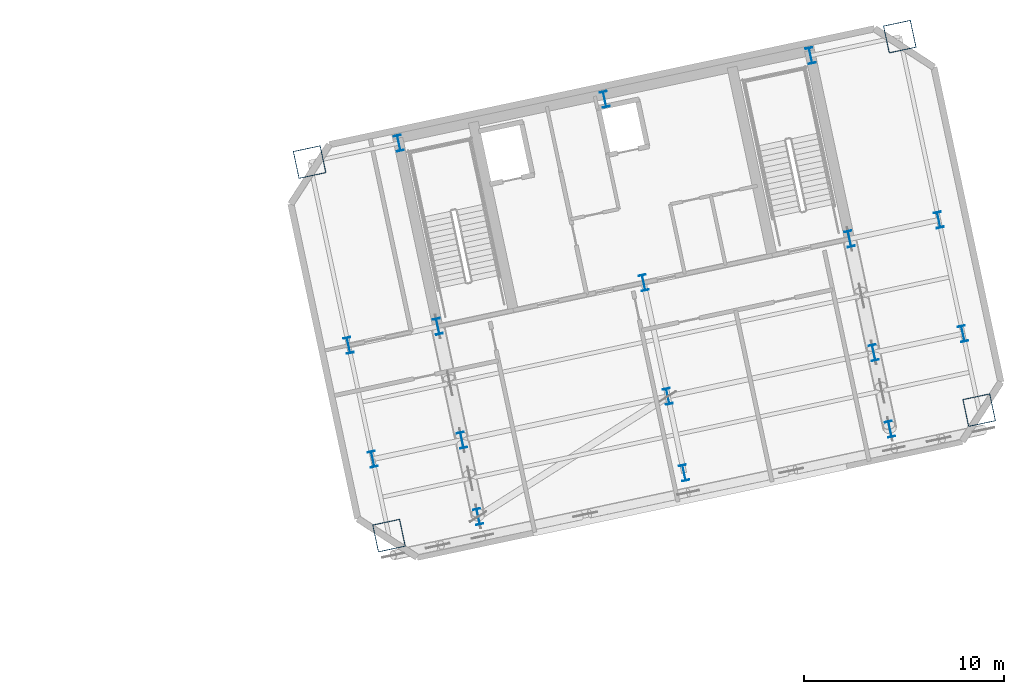
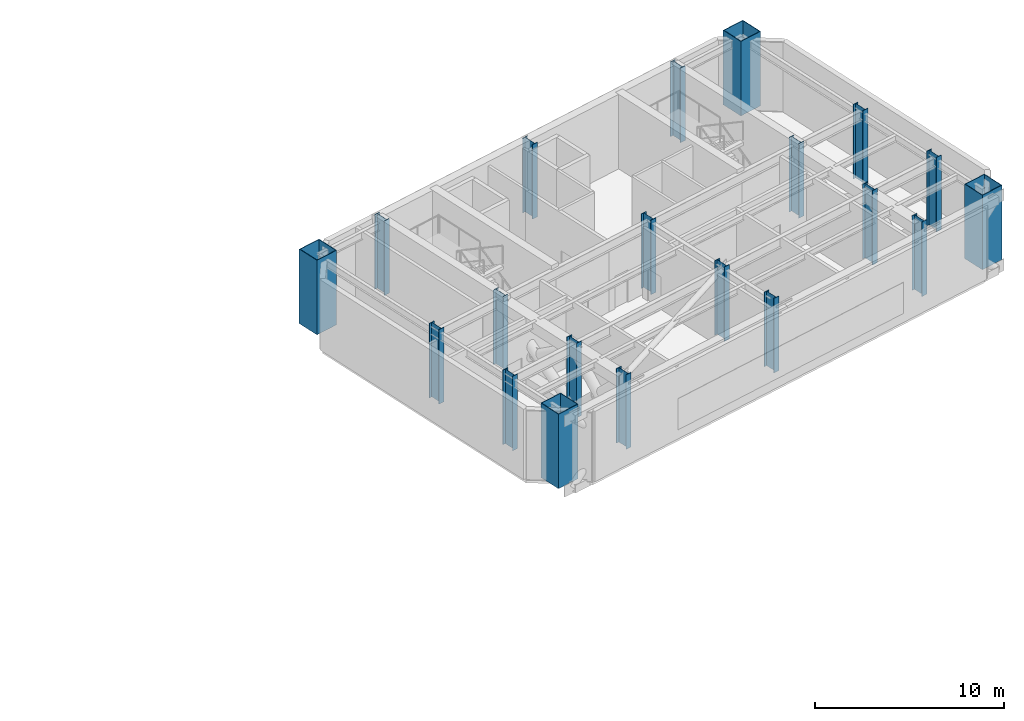
# One storey, part 2 of 15: 20 columns.
"""IFC4 building model written with IfcOpenShell, lengths in metres."""

from ifc_helpers import new_model, si_unit, direction, frame, origin, origin_2d, place, context, subcontext, project, spatial, hollow_rectangle, i_section, extrude, material, material_profile, profile_set, type_object, element, save


model = new_model("IFC4")

# Units and contexts
model_context = context("Model", 3, precision=1e-05, world=origin(), true_north=direction((0.0, 1.0)))
body_context = subcontext(model_context, "Body", "Model", "MODEL_VIEW")
ifc_project = project(units=[si_unit("LENGTHUNIT", "METRE"), si_unit("AREAUNIT", "SQUARE_METRE"), si_unit("VOLUMEUNIT", "CUBIC_METRE"), si_unit("PLANEANGLEUNIT", "RADIAN"), si_unit("MASSUNIT", "GRAM", prefix="KILO")], contexts=[model_context])

# Site, building, storey
site_placement = place(None, origin())
site = spatial("IfcSite", under=ifc_project, at=site_placement, CompositionType="ELEMENT")
building_placement = place(site_placement, origin())
building = spatial("IfcBuilding", under=site, at=building_placement, Name="Haevon Station Towers", CompositionType="ELEMENT")
storey_placement = place(building_placement, frame((0.0, 0.0, 138.0)))
storey = spatial("IfcBuildingStorey", under=building, at=storey_placement, Name="L37", CompositionType="ELEMENT", Elevation=138.0)

# Columns
ifc_material = material(Name="Steel S460", Category="steel")
ifc_material_profile_1 = material_profile(ifc_material, hollow_rectangle(XDim=1.39990234375, YDim=1.39990234375, WallThickness=0.035888671875, at=origin_2d()), Name="BOX-1400x1400x36")
ifc_profile_set_1 = profile_set([ifc_material_profile_1], Name="Steel S460")
column_type_1 = type_object("IfcColumnType", Name="COL-MC3", PredefinedType="COLUMN", material=ifc_profile_set_1)
for number, where, z_axis, x_axis, name in (
    (1, (96.318603515625, 27.00830078125, 0.0), (0.0, 0.0, 1.0), (0.978147600734, 0.207911690818, 0.0), "COL-T2-L37-01-01"),
    (2, (92.35791015625, 45.64208984375, 0.0), (0.0, 0.0, 1.0), (0.978147600734, 0.207911690818, 0.0), "COL-T2-L37-01-04"),
    (3, (125.7607421875, 33.2666015625, 0.0), (0.0, 0.0, 1.0), (0.978147600734, 0.207911690818, 0.0), "COL-T2-L37-05-01"),
    (4, (121.800048828125, 51.900146484375, 0.0), (0.0, 0.0, 1.0), (0.978147600734, 0.207911690818, 0.0), "COL-T2-L37-05-04"),
):
    element("IfcColumn", number, at=place(storey_placement, frame(where, z_axis=z_axis, x_axis=x_axis)), inside=storey, type_object=column_type_1, Name=name, PredefinedType="COLUMN", context=body_context, shape_type="SweptSolid", body=[
        extrude(hollow_rectangle(XDim=1.39990234375, YDim=1.39990234375, WallThickness=0.035888671875, at=origin_2d()), origin(), (0.0, 0.0, 1.0), 4.800048828125),
    ])
ifc_material_profile_2 = material_profile(ifc_material, i_section(OverallWidth=0.35009765625, OverallDepth=0.800048828125, WebThickness=0.01806640625, FlangeThickness=0.031982421875, at=origin_2d()), Name="H-800x350x18x32")
ifc_profile_set_2 = profile_set([ifc_material_profile_2], Name="Steel S460")
column_type_2 = type_object("IfcColumnType", Name="COL-TW2", PredefinedType="COLUMN", material=ifc_profile_set_2)
for number, where, z_axis, x_axis, name in (
    (5, (95.507568359375, 30.8232421875, 0.0), (0.0, 0.0, 1.0), (0.978147600734, 0.207911690818, 0.0), "COL-T2-L37-01-02"),
    (6, (94.3017578125, 36.496337890625, 0.0), (0.0, 0.0, 1.0), (0.978147600734, 0.207911690818, 0.0), "COL-T2-L37-01-03"),
    (7, (100.76904296875, 27.954345703125, 0.0), (0.0, 0.0, 1.0), (0.978147600734, 0.207911690818, 0.0), "COL-T2-L37-02-01"),
    (8, (99.958251953125, 31.76904296875, 0.0), (0.0, 0.0, 1.0), (0.978147600734, 0.207911690818, 0.0), "COL-T2-L37-02-02"),
    (9, (98.75244140625, 37.4423828125, 0.0), (0.0, 0.0, 1.0), (0.978147600734, 0.207911690818, 0.0), "COL-T2-L37-02-03"),
    (10, (96.808349609375, 46.588134765625, 0.0), (0.0, 0.0, 1.0), (0.978147600734, 0.207911690818, 0.0), "COL-T2-L37-02-04"),
    (11, (111.03955078125, 30.137451171875, 0.0), (0.0, 0.0, 1.0), (0.978147600734, 0.207911690818, 0.0), "COL-T2-L37-03-01"),
    (12, (110.228759765625, 33.9521484375, 0.0), (0.0, 0.0, 1.0), (0.978147600734, 0.207911690818, 0.0), "COL-T2-L37-03-02"),
    (13, (109.02294921875, 39.62548828125, 0.0), (0.0, 0.0, 1.0), (0.978147600734, 0.207911690818, 0.0), "COL-T2-L37-03-03"),
    (14, (107.078857421875, 48.771240234375, 0.0), (0.0, 0.0, 1.0), (0.978147600734, 0.207911690818, 0.0), "COL-T2-L37-03-04"),
    (15, (121.310302734375, 32.320556640625, 0.0), (0.0, 0.0, 1.0), (0.978147600734, 0.207911690818, 0.0), "COL-T2-L37-04-01"),
    (16, (120.499267578125, 36.13525390625, 0.0), (0.0, 0.0, 1.0), (0.978147600734, 0.207911690818, 0.0), "COL-T2-L37-04-02"),
    (17, (119.29345703125, 41.80859375, 0.0), (0.0, 0.0, 1.0), (0.978147600734, 0.207911690818, 0.0), "COL-T2-L37-04-03"),
    (18, (117.349365234375, 50.954345703125, 0.0), (0.0, 0.0, 1.0), (0.978147600734, 0.207911690818, 0.0), "COL-T2-L37-04-04"),
    (19, (124.949951171875, 37.081298828125, 0.0), (0.0, 0.0, 1.0), (0.978147600734, 0.207911690818, 0.0), "COL-T2-L37-05-02"),
    (20, (123.744140625, 42.754638671875, 0.0), (0.0, 0.0, 1.0), (0.978147600734, 0.207911690818, 0.0), "COL-T2-L37-05-03"),
):
    element("IfcColumn", number, at=place(storey_placement, frame(where, z_axis=z_axis, x_axis=x_axis)), inside=storey, type_object=column_type_2, Name=name, PredefinedType="COLUMN", context=body_context, shape_type="SweptSolid", body=[
        extrude(i_section(OverallWidth=0.35009765625, OverallDepth=0.800048828125, WebThickness=0.01806640625, FlangeThickness=0.031982421875, at=origin_2d()), origin(), (0.0, 0.0, 1.0), 4.800048828125),
    ])

save(model, "model.ifc")
